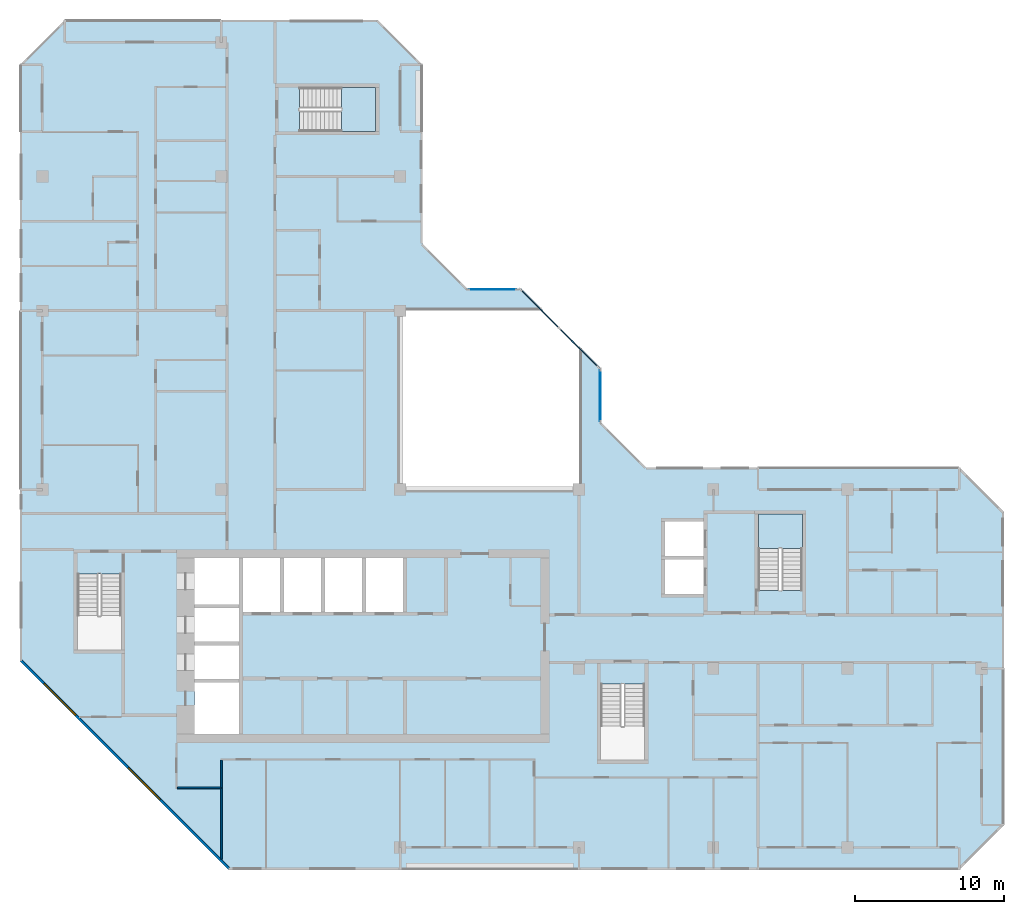
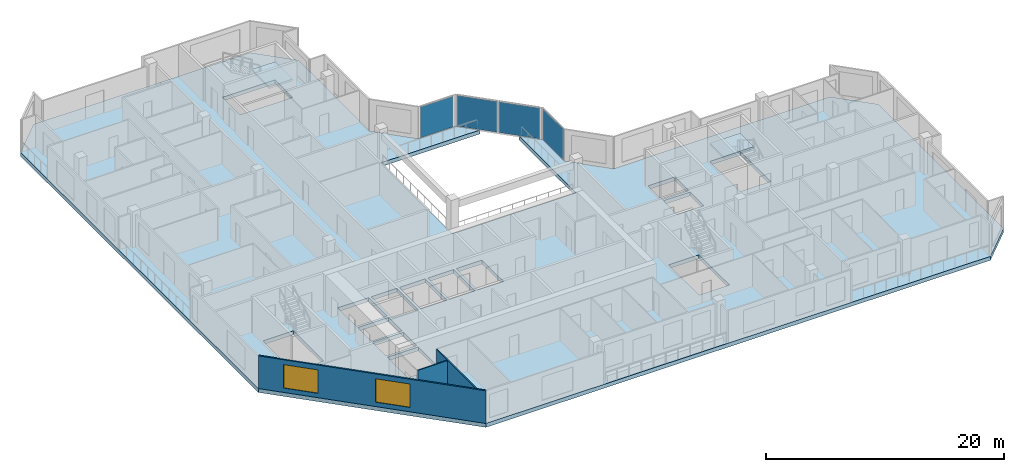
# One storey, part 3 of 13: 4 plates, 3 slabs, 3 walls, 2 windows, 2 openings, 5 elements without a shape of their own.
"""IFC4 building model written with IfcOpenShell, lengths in metres."""

from ifc_helpers import new_model, si_unit, direction, frame, frame_2d, origin, origin_2d, place, context, subcontext, project, spatial, polyline, rectangle, outline, extrude, material, layer, layer_set, type_object, element, fill, aggregate, save


model = new_model("IFC4")

# Units and contexts
model_context = context("Model", 3, precision=1e-05, world=origin(), true_north=direction((0.0, 1.0)))
body_context = subcontext(model_context, "Body", "Model", "MODEL_VIEW")
ifc_project = project(units=[si_unit("LENGTHUNIT", "METRE"), si_unit("AREAUNIT", "SQUARE_METRE"), si_unit("VOLUMEUNIT", "CUBIC_METRE"), si_unit("PLANEANGLEUNIT", "RADIAN"), si_unit("MASSUNIT", "GRAM", prefix="KILO")], contexts=[model_context])

# Site, building, storey
site_placement = place(None, origin())
site = spatial("IfcSite", under=ifc_project, at=site_placement, CompositionType="ELEMENT")
building_placement = place(site_placement, origin())
building = spatial("IfcBuilding", under=site, at=building_placement, Name="Chenar Terraces", CompositionType="ELEMENT")
storey_placement = place(building_placement, frame((0.0, 0.0, 292.14990234375)))
storey = spatial("IfcBuildingStorey", under=building, at=storey_placement, Name="L68", CompositionType="ELEMENT", Elevation=292.14990234375)

# Curtain wall, plate
ifc_material_1 = material(Name="Aluminium framed glazing", Category="aluminium")
ifc_layer_1 = layer(ifc_material_1, 0.14990234375)
ifc_layer_set_1 = layer_set([ifc_layer_1], Name="Aluminium framed glazing")
curtain_wall_type = type_object("IfcCurtainWallType", Name="Atrium upper-zone curtain wall", PredefinedType="NOTDEFINED", material=ifc_layer_set_1)
placement_1 = place(storey_placement, origin())
curtain_wall_1 = element("IfcCurtainWall", 1, at=placement_1, inside=storey, type_object=curtain_wall_type, Name="Atrium upper-zone curtain wall", PredefinedType="NOTDEFINED")
ifc_material_2 = material(Name="Low emissivity laminated glass, solar control coating", Category="glass")
ifc_layer_2 = layer(ifc_material_2, 0.050048828125)
ifc_layer_set_2 = layer_set([ifc_layer_2], Name="Low emissivity laminated glass, solar control coating")
plate_type = type_object("IfcPlateType", Name="Atrium upper-zone glazing panel 50", PredefinedType="CURTAIN_PANEL", material=ifc_layer_set_2)
plate_1_placement = place(storey_placement, frame((37.425048828125, 30.300048828125, 0.10009765625), z_axis=(0.0, 0.0, 1.0), x_axis=(0.0, 1.0, 0.0)))
plate_1 = element("IfcPlate", 2, at=plate_1_placement, type_object=plate_type, Name="CW8-1 panel 1.1", PredefinedType="CURTAIN_PANEL", context=body_context, shape_type="SweptSolid", body=[
    extrude(rectangle(XDim=3.39990234375, YDim=0.050048828125, at=origin_2d()), origin(), (0.0, 0.0, 1.0), 3.14990234375),
])
aggregate(curtain_wall_1, [plate_1])

# Curtain wall, plates
curtain_wall_2 = element("IfcCurtainWall", 3, at=placement_1, inside=storey, type_object=curtain_wall_type, Name="Atrium upper-zone curtain wall", PredefinedType="NOTDEFINED")
plate_2_placement = place(storey_placement, frame((35.97314453125, 33.520751953125, 0.10009765625), z_axis=(0.0, 0.0, 1.0), x_axis=(-0.707106781187, 0.707106781187, 0.0)))
plate_2 = element("IfcPlate", 4, at=plate_2_placement, type_object=plate_type, Name="CW8-2 panel 1.1", PredefinedType="CURTAIN_PANEL", context=body_context, shape_type="SweptSolid", body=[
    extrude(rectangle(XDim=3.568359375, YDim=0.050048828125, at=origin_2d()), origin(), (0.0, 0.0, 1.0), 3.14990234375),
])
plate_3_placement = place(storey_placement, frame((33.379150390625, 36.11474609375, 0.10009765625), z_axis=(0.0, 0.0, 1.0), x_axis=(-0.707106781187, 0.707106781187, 0.0)))
plate_3 = element("IfcPlate", 5, at=plate_3_placement, type_object=plate_type, Name="CW8-2 panel 2.1", PredefinedType="CURTAIN_PANEL", context=body_context, shape_type="SweptSolid", body=[
    extrude(rectangle(XDim=3.568359375, YDim=0.050048828125, at=origin_2d()), origin(), (0.0, 0.0, 1.0), 3.14990234375),
])
aggregate(curtain_wall_2, [plate_2, plate_3])

# Curtain wall, plate
curtain_wall_3 = element("IfcCurtainWall", 6, at=placement_1, inside=storey, type_object=curtain_wall_type, Name="Atrium upper-zone curtain wall", PredefinedType="NOTDEFINED")
plate_4_placement = place(storey_placement, frame((30.199951171875, 37.425048828125, 0.10009765625), z_axis=(0.0, 0.0, 1.0), x_axis=(-1.0, 0.0, 0.0)))
plate_4 = element("IfcPlate", 7, at=plate_4_placement, type_object=plate_type, Name="CW8-3 panel 1.1", PredefinedType="CURTAIN_PANEL", context=body_context, shape_type="SweptSolid", body=[
    extrude(rectangle(XDim=3.199951171875, YDim=0.050048828125, at=origin_2d()), origin(), (0.0, 0.0, 1.0), 3.14990234375),
])
aggregate(curtain_wall_3, [plate_4])

# Stair, slab
ifc_material_3 = material(Name="Reinforced concrete C40/50", Category="concrete")
stair_type = type_object("IfcStairType", Name="Core stair 1400 half-turn", PredefinedType="HALF_TURN_STAIR", material=ifc_material_3)
stair_1 = element("IfcStair", 8, at=placement_1, inside=storey, type_object=stair_type, Name="L68 Stair 3", PredefinedType="HALF_TURN_STAIR")
ifc_material_4 = material(Name="Reinforced concrete C40/50", Category="concrete")
ifc_layer_3 = layer(ifc_material_4, 0.199951171875)
ifc_layer_set_3 = layer_set([ifc_layer_3], Name="Reinforced concrete C40/50")
slab_type_1 = type_object("IfcSlabType", Name="Core stair landing 200", PredefinedType="LANDING", material=ifc_layer_set_3)
placement_2 = place(storey_placement, frame((0.0, 0.0, 1.675048828125)))
slab_1 = element("IfcSlab", 9, at=placement_2, type_object=slab_type_1, Name="ST3 landing 1", PredefinedType="LANDING", context=body_context, shape_type="SweptSolid", body=[
    extrude(outline(polyline([(50.97509765625, 20.050048828125), (50.97509765625, 22.35009765625), (48.02490234375, 22.35009765625), (48.02490234375, 20.050048828125), (50.97509765625, 20.050048828125)])), origin(), (0.0, 0.0, 1.0), 0.199951171875),
])
aggregate(stair_1, [slab_1])

stair_2 = element("IfcStair", 10, at=placement_1, inside=storey, type_object=stair_type, Name="L68 Stair 4", PredefinedType="HALF_TURN_STAIR")
slab_2 = element("IfcSlab", 11, at=placement_2, type_object=slab_type_1, Name="ST4 landing 1", PredefinedType="LANDING", context=body_context, shape_type="SweptSolid", body=[
    extrude(outline(polyline([(20.050048828125, 48.02490234375), (22.35009765625, 48.02490234375), (22.35009765625, 50.97509765625), (20.050048828125, 50.97509765625), (20.050048828125, 48.02490234375)])), origin(), (0.0, 0.0, 1.0), 0.199951171875),
])
aggregate(stair_2, [slab_2])

# Slab
ifc_material_5 = material(Name="Concrete C40/50", Category="concrete")
ifc_layer_4 = layer(ifc_material_5, 0.39990234375)
ifc_layer_set_4 = layer_set([ifc_layer_4], Name="Concrete C40/50")
slab_type_2 = type_object("IfcSlabType", Name="Floor slab 400 Concrete C40/50", PredefinedType="FLOOR", material=ifc_layer_set_4)
slab_3_placement = place(storey_placement, frame((0.0, 0.0, -0.39990234375)))
element("IfcSlab", 12, at=slab_3_placement, inside=storey, type_object=slab_type_2, Name="Floor slab L68", PredefinedType="FLOOR", context=body_context, shape_type="SweptSolid", body=[
    extrude(outline(polyline([(64.5, 22.5), (64.5, 1.5), (61.5, -1.5), (12.5, -1.5), (-1.5, 12.5), (-1.5, 52.5), (1.5, 55.5), (22.5, 55.5), (25.5, 52.5), (25.5, 40.5), (28.5, 37.5), (32.10009765625, 37.5), (33.60009765625, 36.0), (24.0, 36.0), (24.0, 24.0), (36.0, 24.0), (36.0, 33.60009765625), (37.5, 32.10009765625), (37.5, 28.5), (40.5, 25.5), (61.5, 25.5), (64.5, 22.5)]), holes=[polyline([(10.199951171875, 11.050048828125), (10.199951171875, 7.60009765625), (13.199951171875, 7.60009765625), (13.199951171875, 11.050048828125), (10.199951171875, 11.050048828125)]), polyline([(13.199951171875, 13.550048828125), (10.199951171875, 13.550048828125), (10.199951171875, 11.300048828125), (13.199951171875, 11.300048828125), (13.199951171875, 13.550048828125)]), polyline([(13.199951171875, 16.050048828125), (10.199951171875, 16.050048828125), (10.199951171875, 13.800048828125), (13.199951171875, 13.800048828125), (13.199951171875, 16.050048828125)]), polyline([(2.35009765625, 13.25), (5.300048828125, 13.25), (5.300048828125, 18.35009765625), (2.35009765625, 18.35009765625), (2.35009765625, 13.25)]), polyline([(15.949951171875, 19.39990234375), (13.449951171875, 19.39990234375), (13.449951171875, 15.800048828125), (15.949951171875, 15.800048828125), (15.949951171875, 19.39990234375)]), polyline([(18.699951171875, 19.39990234375), (16.199951171875, 19.39990234375), (16.199951171875, 15.800048828125), (18.699951171875, 15.800048828125), (18.699951171875, 19.39990234375)]), polyline([(13.199951171875, 19.39990234375), (10.199951171875, 19.39990234375), (10.199951171875, 16.300048828125), (13.199951171875, 16.300048828125), (13.199951171875, 19.39990234375)]), polyline([(22.35009765625, 48.02490234375), (22.35009765625, 50.97509765625), (17.25, 50.97509765625), (17.25, 48.02490234375), (22.35009765625, 48.02490234375)]), polyline([(37.449951171875, 5.85009765625), (40.39990234375, 5.85009765625), (40.39990234375, 10.949951171875), (37.449951171875, 10.949951171875), (37.449951171875, 5.85009765625)]), polyline([(21.449951171875, 19.39990234375), (18.949951171875, 19.39990234375), (18.949951171875, 15.800048828125), (21.449951171875, 15.800048828125), (21.449951171875, 19.39990234375)]), polyline([(24.199951171875, 19.39990234375), (21.699951171875, 19.39990234375), (21.699951171875, 15.800048828125), (24.199951171875, 15.800048828125), (24.199951171875, 19.39990234375)]), polyline([(44.35009765625, 19.300048828125), (41.75, 19.300048828125), (41.75, 17.0), (44.35009765625, 17.0), (44.35009765625, 19.300048828125)]), polyline([(50.97509765625, 22.35009765625), (48.02490234375, 22.35009765625), (48.02490234375, 17.25), (50.97509765625, 17.25), (50.97509765625, 22.35009765625)]), polyline([(44.35009765625, 21.85009765625), (41.75, 21.85009765625), (41.75, 19.550048828125), (44.35009765625, 19.550048828125), (44.35009765625, 21.85009765625)])]), origin(), (0.0, 0.0, 1.0), 0.39990234375),
])

# Walls
ifc_material_6 = material(Name="Gypsum board on steel studs", Category="steel")
ifc_layer_5 = layer(ifc_material_6, 0.10009765625)
ifc_layer_set_5 = layer_set([ifc_layer_5], Name="Gypsum board on steel studs")
wall_type_1 = type_object("IfcWallType", Name="Gypsum partition 100", PredefinedType="PARTITIONING", material=ifc_layer_set_5)
wall_1_placement = place(storey_placement, frame((9.050048828125, 4.0, 0.0), z_axis=(0.0, 0.0, 1.0), x_axis=(1.0, 0.0, 0.0)))
element("IfcWall", 13, at=wall_1_placement, inside=storey, type_object=wall_type_1, Name="Partition L68-026", PredefinedType="PARTITIONING", context=body_context, shape_type="SweptSolid", body=[
    extrude(rectangle(XDim=2.89990234375, YDim=0.10009765625, at=frame_2d((1.449951171875, 0.0))), origin(), (0.0, 0.0, 1.0), 3.35009765625),
])
wall_2_placement = place(storey_placement, frame((12.0, -0.787841796875, 0.0), z_axis=(0.0, 0.0, 1.0), x_axis=(0.0, 1.0, 0.0)))
element("IfcWall", 14, at=wall_2_placement, inside=storey, type_object=wall_type_1, Name="Partition L68-028", PredefinedType="PARTITIONING", context=body_context, shape_type="SweptSolid", body=[
    extrude(rectangle(XDim=6.637939453125, YDim=0.10009765625, at=frame_2d((3.31884765625, 0.0))), origin(), (0.0, 0.0, 1.0), 3.35009765625),
])

# Wall, openings, windows
ifc_material_7 = material(Name="Terracotta cladding on insulated backing", Category="masonry")
ifc_layer_6 = layer(ifc_material_7, 0.14990234375)
ifc_layer_set_6 = layer_set([ifc_layer_6], Name="Terracotta cladding on insulated backing")
wall_type_2 = type_object("IfcWallType", Name="Terracotta rainscreen wall 150", PredefinedType="SOLIDWALL", material=ifc_layer_set_6)
wall_3_placement = place(storey_placement, frame((-1.447021484375, 12.552978515625, 0.0), z_axis=(0.0, 0.0, 1.0), x_axis=(0.707106781187, -0.707106781187, 0.0)))
wall_3 = element("IfcWall", 15, at=wall_3_placement, inside=storey, type_object=wall_type_2, Name="Terracotta rainscreen wall", PredefinedType="SOLIDWALL", context=body_context, shape_type="SweptSolid", body=[
    extrude(rectangle(XDim=19.799072265625, YDim=0.14990234375, at=frame_2d((9.8994140625, 0.0))), origin(), (0.0, 0.0, 1.0), 3.35009765625),
])
opening_1_placement = place(wall_3_placement, frame((2.21240234375, 0.0, 0.449951171875)))
opening_1 = element("IfcOpeningElement", 16, at=opening_1_placement, cuts=wall_3, Name="Opening W300x240", PredefinedType="OPENING", context=body_context, shape_type="SweptSolid", body=[
    extrude(rectangle(XDim=3.0, YDim=2.39990234375, at=frame_2d((1.5, 1.199951171875))), frame((0.0, 0.0849609375, 0.0), z_axis=(0.0, -1.0, 0.0), x_axis=(1.0, 0.0, 0.0)), (0.0, 0.0, 1.0), 0.169921875),
])
opening_2_placement = place(wall_3_placement, frame((10.215576171875, 0.0, 0.449951171875)))
opening_2 = element("IfcOpeningElement", 17, at=opening_2_placement, cuts=wall_3, Name="Opening W300x240", PredefinedType="OPENING", context=body_context, shape_type="SweptSolid", body=[
    extrude(rectangle(XDim=3.0, YDim=2.39990234375, at=frame_2d((1.5, 1.199951171875))), frame((0.0, 0.0849609375, 0.0), z_axis=(0.0, -1.0, 0.0), x_axis=(1.0, 0.0, 0.0)), (0.0, 0.0, 1.0), 0.169921875),
])
ifc_material_8 = material(Name="Low emissivity double glazing, aluminium frame", Category="aluminium")
window_type = type_object("IfcWindowType", Name="Fixed light 3000 x 2400", PartitioningType="SINGLE_PANEL", PredefinedType="WINDOW", material=ifc_material_8)
window_1_placement = place(opening_1_placement, origin())
window_1 = element("IfcWindow", 18, at=window_1_placement, inside=storey, type_object=window_type, Name="Window", OverallHeight=2.39990234375, OverallWidth=3.0, PartitioningType="SINGLE_PANEL", PredefinedType="WINDOW", context=body_context, shape_type="SweptSolid", body=[
    extrude(rectangle(XDim=3.0, YDim=2.39990234375, at=frame_2d((1.5, 1.199951171875))), frame((0.0, 0.030029296875, 0.0), z_axis=(0.0, -1.0, 0.0), x_axis=(1.0, 0.0, 0.0)), (0.0, 0.0, 1.0), 0.06005859375),
])
fill(opening_1, window_1)
window_2_placement = place(opening_2_placement, origin())
window_2 = element("IfcWindow", 19, at=window_2_placement, inside=storey, type_object=window_type, Name="Window", OverallHeight=2.39990234375, OverallWidth=3.0, PartitioningType="SINGLE_PANEL", PredefinedType="WINDOW", context=body_context, shape_type="SweptSolid", body=[
    extrude(rectangle(XDim=3.0, YDim=2.39990234375, at=frame_2d((1.5, 1.199951171875))), frame((0.0, 0.030029296875, 0.0), z_axis=(0.0, -1.0, 0.0), x_axis=(1.0, 0.0, 0.0)), (0.0, 0.0, 1.0), 0.06005859375),
])
fill(opening_2, window_2)

save(model, "model.ifc")
